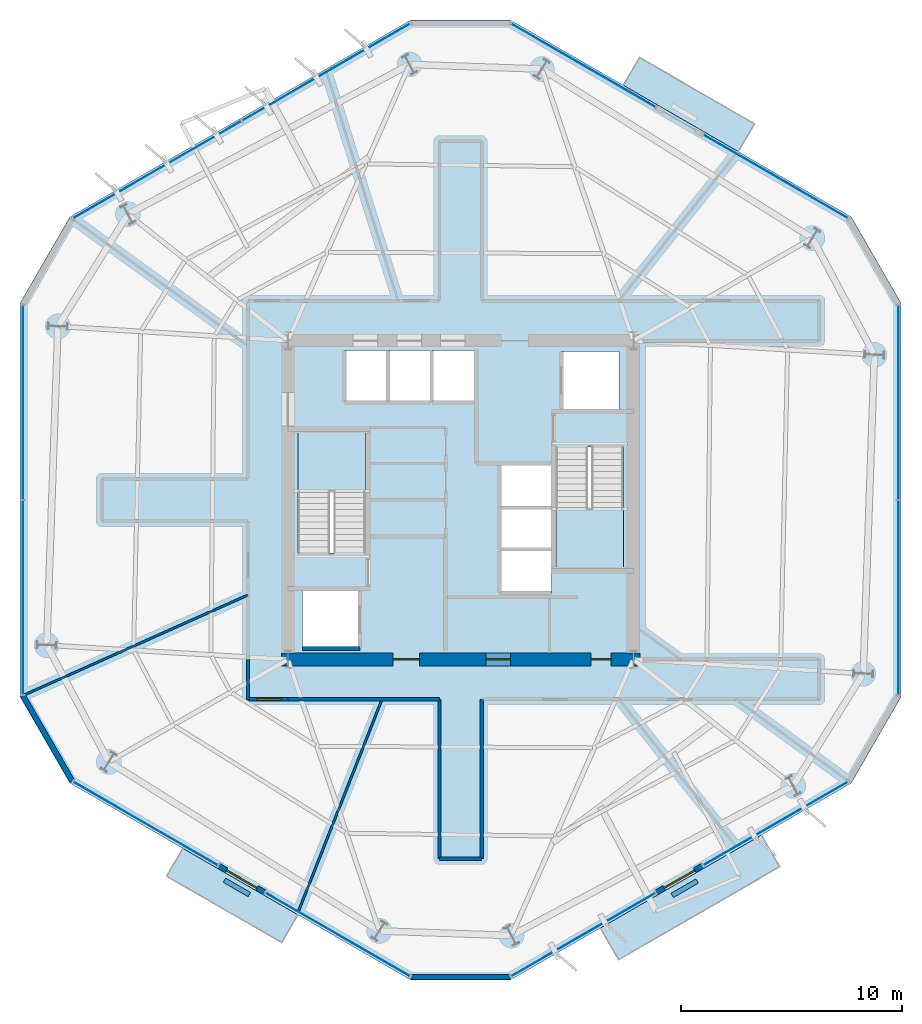
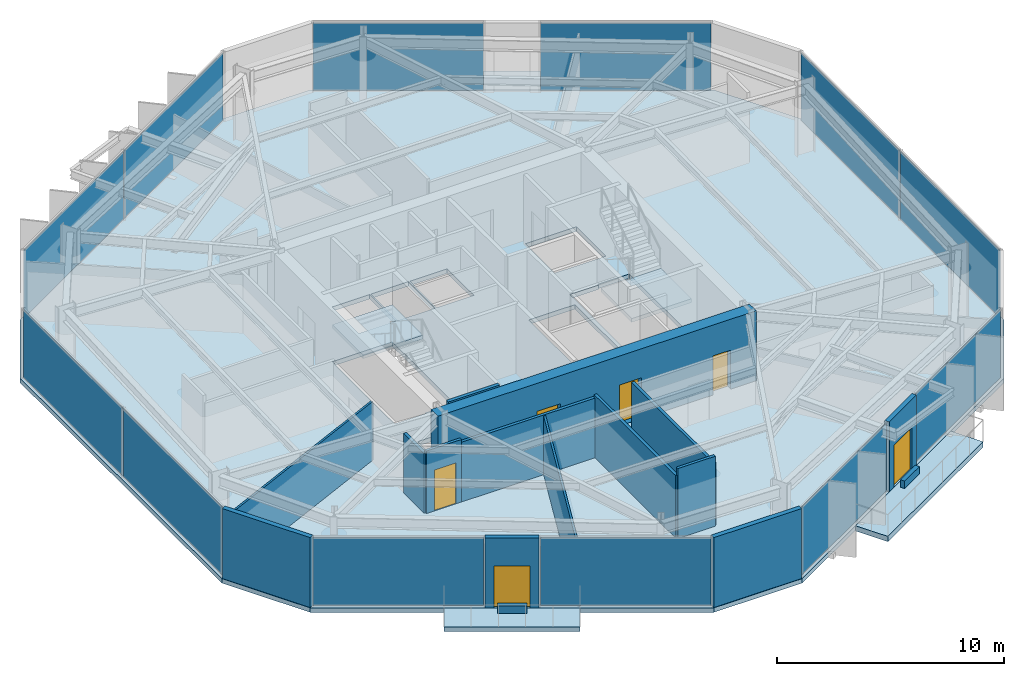
# One storey, part 6 of 11: 16 walls, 12 plates, 6 doors, 6 slabs, 6 openings, 11 elements without a shape of their own.
"""IFC4 building model written with IfcOpenShell, lengths in metres."""

from ifc_helpers import new_model, si_unit, direction, frame, frame_2d, origin, origin_2d, place, context, subcontext, project, spatial, polyline, rectangle, outline, extrude, material, layer, layer_set, type_object, element, fill, aggregate, save


model = new_model("IFC4")

# Units and contexts
model_context = context("Model", 3, precision=1e-05, world=origin(), true_north=direction((0.0, 1.0)))
body_context = subcontext(model_context, "Body", "Model", "MODEL_VIEW")
ifc_project = project(units=[si_unit("LENGTHUNIT", "METRE"), si_unit("AREAUNIT", "SQUARE_METRE"), si_unit("VOLUMEUNIT", "CUBIC_METRE"), si_unit("PLANEANGLEUNIT", "RADIAN"), si_unit("MASSUNIT", "GRAM", prefix="KILO")], contexts=[model_context])

# Site, building, storey
site_placement = place(None, origin())
site = spatial("IfcSite", under=ifc_project, at=site_placement, CompositionType="ELEMENT")
building_placement = place(site_placement, origin())
building = spatial("IfcBuilding", under=site, at=building_placement, Name="Kranzbogen Civic Tower", CompositionType="ELEMENT")
storey_placement = place(building_placement, frame((0.0, 0.0, 142.39990234375)))
storey = spatial("IfcBuildingStorey", under=building, at=storey_placement, Name="L34", CompositionType="ELEMENT", Elevation=142.39990234375)

# Slab
ifc_material_1 = material(Name="Concrete C40/50", Category="concrete")
ifc_layer_1 = layer(ifc_material_1, 0.239990234375, Name="Concrete C40/50")
ifc_layer_set_1 = layer_set([ifc_layer_1], Name="Concrete C40/50")
slab_type_1 = type_object("IfcSlabType", Name="Composite Lower Tower Floor Slab 240 mm", PredefinedType="FLOOR", material=ifc_layer_set_1)
slab_1_placement = place(storey_placement, frame((0.0, 0.0, -0.239990234375)))
element("IfcSlab", 1, at=slab_1_placement, inside=storey, type_object=slab_type_1, Name="L34 tower floor slab", PredefinedType="FLOOR", context=body_context, shape_type="SweptSolid", body=[
    extrude(outline(polyline([(42.64990234375, 37.7880859375), (27.25, 46.679931640625), (22.75, 46.679931640625), (7.35009765625, 37.7880859375), (5.10009765625, 33.89111328125), (5.10009765625, 16.10888671875), (7.35009765625, 12.2119140625), (22.75, 3.320068359375), (27.25, 3.320068359375), (42.64990234375, 12.2119140625), (44.89990234375, 16.10888671875), (44.89990234375, 33.89111328125), (42.64990234375, 37.7880859375)]), holes=[polyline([(20.449951171875, 20.89990234375), (20.449951171875, 18.300048828125), (17.85009765625, 18.300048828125), (17.85009765625, 20.89990234375), (20.449951171875, 20.89990234375)]), polyline([(29.10009765625, 22.699951171875), (29.10009765625, 20.800048828125), (26.75, 20.800048828125), (26.75, 22.699951171875), (29.10009765625, 22.699951171875)]), polyline([(29.10009765625, 24.64990234375), (29.10009765625, 22.77490234375), (26.75, 22.77490234375), (26.75, 24.64990234375), (26.75, 24.675048828125), (26.75, 26.550048828125), (29.10009765625, 26.550048828125), (29.10009765625, 24.675048828125), (29.10009765625, 24.64990234375)]), polyline([(30.75, 27.340087890625), (30.75, 27.39990234375), (32.35009765625, 27.39990234375), (32.35009765625, 21.89990234375), (29.300048828125, 21.89990234375), (29.300048828125, 27.340087890625), (30.75, 27.340087890625)]), polyline([(19.25, 22.659912109375), (19.25, 22.60009765625), (17.64990234375, 22.60009765625), (17.64990234375, 28.10009765625), (20.699951171875, 28.10009765625), (20.699951171875, 22.659912109375), (19.25, 22.659912109375)]), polyline([(32.14990234375, 31.699951171875), (32.14990234375, 29.10009765625), (29.550048828125, 29.10009765625), (29.550048828125, 31.699951171875), (32.14990234375, 31.699951171875)]), polyline([(21.64990234375, 31.75), (21.64990234375, 29.39990234375), (19.75, 29.39990234375), (19.75, 31.75), (21.64990234375, 31.75)]), polyline([(23.625, 29.39990234375), (21.72509765625, 29.39990234375), (21.72509765625, 31.75), (23.625, 31.75), (23.625, 29.39990234375)]), polyline([(25.60009765625, 29.39990234375), (23.699951171875, 29.39990234375), (23.699951171875, 31.75), (25.60009765625, 31.75), (25.60009765625, 29.39990234375)])]), origin(), (0.0, 0.0, 1.0), 0.239990234375),
])

# Curtain wall, plate
ifc_material_2 = material(Name="Pale Anodised Aluminium", Category="aluminium")
ifc_layer_2 = layer(ifc_material_2, 0.219970703125, Name="Pale Anodised Aluminium")
ifc_layer_set_2 = layer_set([ifc_layer_2], Name="Pale Anodised Aluminium")
curtain_wall_type = type_object("IfcCurtainWallType", Name="Zone 2 Stick Curtain Wall System CW-03", PredefinedType="USERDEFINED", material=ifc_layer_set_2)
curtain_wall_1_placement = place(storey_placement, origin())
curtain_wall_1 = element("IfcCurtainWall", 2, at=curtain_wall_1_placement, inside=storey, type_object=curtain_wall_type, Name="L34 curtain wall CW-L34-F1-S1", ObjectType="STICK CURTAIN WALL", PredefinedType="USERDEFINED")
ifc_material_3 = material(Name="Low-E Triple Glazing Glass", Category="glass")
ifc_layer_3 = layer(ifc_material_3, 0.031982421875, Name="Low-E Triple Glazing Glass")
ifc_layer_set_3 = layer_set([ifc_layer_3], Name="Low-E Triple Glazing Glass")
plate_type = type_object("IfcPlateType", Name="Insulated Low-E Glazing Panel 32 mm", PredefinedType="CURTAIN_PANEL", material=ifc_layer_set_3)
plate_1_placement = place(storey_placement, frame((39.23095703125, 39.614990234375, 0.06005859375), z_axis=(0.0, 0.0, 1.0), x_axis=(-0.865993641626, 0.500055009637, 0.0)))
plate_1 = element("IfcPlate", 3, at=plate_1_placement, type_object=plate_type, Name="CW-03 panel 1.1", PredefinedType="CURTAIN_PANEL", context=body_context, shape_type="SweptSolid", body=[
    extrude(rectangle(XDim=7.51513671875, YDim=0.028076171875, at=origin_2d()), origin(), (0.0, 0.0, 1.0), 3.639892578125),
])
aggregate(curtain_wall_1, [plate_1])

curtain_wall_2_placement = place(storey_placement, origin())
curtain_wall_2 = element("IfcCurtainWall", 4, at=curtain_wall_2_placement, inside=storey, type_object=curtain_wall_type, Name="L34 curtain wall CW-L34-F1-S2", ObjectType="STICK CURTAIN WALL", PredefinedType="USERDEFINED")
plate_2_placement = place(storey_placement, frame((30.54150390625, 44.632568359375, 0.06005859375), z_axis=(0.0, 0.0, 1.0), x_axis=(-0.866017611604, 0.500013496209, 0.0)))
plate_2 = element("IfcPlate", 5, at=plate_2_placement, type_object=plate_type, Name="CW-03 panel 1.1", PredefinedType="CURTAIN_PANEL", context=body_context, shape_type="SweptSolid", body=[
    extrude(rectangle(XDim=7.513671875, YDim=0.028076171875, at=origin_2d()), origin(), (0.0, 0.0, 1.0), 3.639892578125),
])
aggregate(curtain_wall_2, [plate_2])

# Curtain wall, plates
curtain_wall_3_placement = place(storey_placement, origin())
curtain_wall_3 = element("IfcCurtainWall", 6, at=curtain_wall_3_placement, inside=storey, type_object=curtain_wall_type, Name="L34 curtain wall CW-L34-F2", ObjectType="STICK CURTAIN WALL", PredefinedType="USERDEFINED")
plate_3_placement = place(storey_placement, frame((18.92578125, 44.32470703125, 0.06005859375), z_axis=(0.0, 0.0, 1.0), x_axis=(-0.866001789046, -0.500040899696, 0.0)))
plate_3 = element("IfcPlate", 7, at=plate_3_placement, type_object=plate_type, Name="CW-03 panel 1.1", PredefinedType="CURTAIN_PANEL", context=body_context, shape_type="SweptSolid", body=[
    extrude(rectangle(XDim=8.744384765625, YDim=0.028076171875, at=origin_2d()), origin(), (0.0, 0.0, 1.0), 3.639892578125),
])
plate_4_placement = place(storey_placement, frame((11.30126953125, 39.92236328125, 0.06005859375), z_axis=(0.0, 0.0, 1.0), x_axis=(-0.866001789046, -0.500040899696, 0.0)))
plate_4 = element("IfcPlate", 8, at=plate_4_placement, type_object=plate_type, Name="CW-03 panel 2.1", PredefinedType="CURTAIN_PANEL", context=body_context, shape_type="SweptSolid", body=[
    extrude(rectangle(XDim=8.744384765625, YDim=0.028076171875, at=origin_2d()), origin(), (0.0, 0.0, 1.0), 3.639892578125),
])
aggregate(curtain_wall_3, [plate_3, plate_4])

curtain_wall_4_placement = place(storey_placement, origin())
curtain_wall_4 = element("IfcCurtainWall", 9, at=curtain_wall_4_placement, inside=storey, type_object=curtain_wall_type, Name="L34 curtain wall CW-L34-F3", ObjectType="STICK CURTAIN WALL", PredefinedType="USERDEFINED")
plate_5_placement = place(storey_placement, frame((5.22802734375, 29.402099609375, 0.06005859375), z_axis=(0.0, 0.0, 1.0), x_axis=(0.0, -1.0, 0.0)))
plate_5 = element("IfcPlate", 10, at=plate_5_placement, type_object=plate_type, Name="CW-03 panel 1.1", PredefinedType="CURTAIN_PANEL", context=body_context, shape_type="SweptSolid", body=[
    extrude(rectangle(XDim=8.743896484375, YDim=0.028076171875, at=origin_2d()), origin(), (0.0, 0.0, 1.0), 3.639892578125),
])
plate_6_placement = place(storey_placement, frame((5.22802734375, 20.597900390625, 0.06005859375), z_axis=(0.0, 0.0, 1.0), x_axis=(0.0, -1.0, 0.0)))
plate_6 = element("IfcPlate", 11, at=plate_6_placement, type_object=plate_type, Name="CW-03 panel 2.1", PredefinedType="CURTAIN_PANEL", context=body_context, shape_type="SweptSolid", body=[
    extrude(rectangle(XDim=8.743896484375, YDim=0.028076171875, at=origin_2d()), origin(), (0.0, 0.0, 1.0), 3.639892578125),
])
aggregate(curtain_wall_4, [plate_5, plate_6])

# Curtain wall, plate
curtain_wall_5_placement = place(storey_placement, origin())
curtain_wall_5 = element("IfcCurtainWall", 12, at=curtain_wall_5_placement, inside=storey, type_object=curtain_wall_type, Name="L34 curtain wall CW-L34-F4-S1", ObjectType="STICK CURTAIN WALL", PredefinedType="USERDEFINED")
plate_7_placement = place(storey_placement, frame((10.76904296875, 10.385009765625, 0.06005859375), z_axis=(0.0, 0.0, 1.0), x_axis=(0.865993641626, -0.500055009637, 0.0)))
plate_7 = element("IfcPlate", 13, at=plate_7_placement, type_object=plate_type, Name="CW-03 panel 1.1", PredefinedType="CURTAIN_PANEL", context=body_context, shape_type="SweptSolid", body=[
    extrude(rectangle(XDim=7.51513671875, YDim=0.028076171875, at=origin_2d()), origin(), (0.0, 0.0, 1.0), 3.639892578125),
])
aggregate(curtain_wall_5, [plate_7])

curtain_wall_6_placement = place(storey_placement, origin())
curtain_wall_6 = element("IfcCurtainWall", 14, at=curtain_wall_6_placement, inside=storey, type_object=curtain_wall_type, Name="L34 curtain wall CW-L34-F4-S2", ObjectType="STICK CURTAIN WALL", PredefinedType="USERDEFINED")
plate_8_placement = place(storey_placement, frame((19.45849609375, 5.367431640625, 0.06005859375), z_axis=(0.0, 0.0, 1.0), x_axis=(0.866017611604, -0.500013496209, 0.0)))
plate_8 = element("IfcPlate", 15, at=plate_8_placement, type_object=plate_type, Name="CW-03 panel 1.1", PredefinedType="CURTAIN_PANEL", context=body_context, shape_type="SweptSolid", body=[
    extrude(rectangle(XDim=7.513671875, YDim=0.028076171875, at=origin_2d()), origin(), (0.0, 0.0, 1.0), 3.639892578125),
])
aggregate(curtain_wall_6, [plate_8])

curtain_wall_7_placement = place(storey_placement, origin())
curtain_wall_7 = element("IfcCurtainWall", 16, at=curtain_wall_7_placement, inside=storey, type_object=curtain_wall_type, Name="L34 curtain wall CW-L34-F5-S1", ObjectType="STICK CURTAIN WALL", PredefinedType="USERDEFINED")
plate_9_placement = place(storey_placement, frame((30.54150390625, 5.367431640625, 0.06005859375), z_axis=(0.0, 0.0, 1.0), x_axis=(0.866017611604, 0.500013496209, 0.0)))
plate_9 = element("IfcPlate", 17, at=plate_9_placement, type_object=plate_type, Name="CW-03 panel 1.1", PredefinedType="CURTAIN_PANEL", context=body_context, shape_type="SweptSolid", body=[
    extrude(rectangle(XDim=7.513671875, YDim=0.028076171875, at=origin_2d()), origin(), (0.0, 0.0, 1.0), 3.639892578125),
])
aggregate(curtain_wall_7, [plate_9])

curtain_wall_8_placement = place(storey_placement, origin())
curtain_wall_8 = element("IfcCurtainWall", 18, at=curtain_wall_8_placement, inside=storey, type_object=curtain_wall_type, Name="L34 curtain wall CW-L34-F5-S2", ObjectType="STICK CURTAIN WALL", PredefinedType="USERDEFINED")
plate_10_placement = place(storey_placement, frame((39.23095703125, 10.385009765625, 0.06005859375), z_axis=(0.0, 0.0, 1.0), x_axis=(0.865993641626, 0.500055009637, 0.0)))
plate_10 = element("IfcPlate", 19, at=plate_10_placement, type_object=plate_type, Name="CW-03 panel 1.1", PredefinedType="CURTAIN_PANEL", context=body_context, shape_type="SweptSolid", body=[
    extrude(rectangle(XDim=7.51513671875, YDim=0.028076171875, at=origin_2d()), origin(), (0.0, 0.0, 1.0), 3.639892578125),
])
aggregate(curtain_wall_8, [plate_10])

# Curtain wall, plates
curtain_wall_9_placement = place(storey_placement, origin())
curtain_wall_9 = element("IfcCurtainWall", 20, at=curtain_wall_9_placement, inside=storey, type_object=curtain_wall_type, Name="L34 curtain wall CW-L34-F6", ObjectType="STICK CURTAIN WALL", PredefinedType="USERDEFINED")
plate_11_placement = place(storey_placement, frame((44.77197265625, 20.597900390625, 0.06005859375), z_axis=(0.0, 0.0, 1.0), x_axis=(0.0, 1.0, 0.0)))
plate_11 = element("IfcPlate", 21, at=plate_11_placement, type_object=plate_type, Name="CW-03 panel 1.1", PredefinedType="CURTAIN_PANEL", context=body_context, shape_type="SweptSolid", body=[
    extrude(rectangle(XDim=8.743896484375, YDim=0.028076171875, at=origin_2d()), origin(), (0.0, 0.0, 1.0), 3.639892578125),
])
plate_12_placement = place(storey_placement, frame((44.77197265625, 29.402099609375, 0.06005859375), z_axis=(0.0, 0.0, 1.0), x_axis=(0.0, 1.0, 0.0)))
plate_12 = element("IfcPlate", 22, at=plate_12_placement, type_object=plate_type, Name="CW-03 panel 2.1", PredefinedType="CURTAIN_PANEL", context=body_context, shape_type="SweptSolid", body=[
    extrude(rectangle(XDim=8.743896484375, YDim=0.028076171875, at=origin_2d()), origin(), (0.0, 0.0, 1.0), 3.639892578125),
])
aggregate(curtain_wall_9, [plate_11, plate_12])

# Stair, slab
ifc_material_4 = material(Name="Precast concrete C40/50", Category="concrete")
stair_type_1 = type_object("IfcStairType", Name="Tower Core Pressurized Dogleg Stair 1450", PredefinedType="HALF_TURN_STAIR", material=ifc_material_4)
stair_1_placement = place(storey_placement, origin())
stair_1 = element("IfcStair", 23, at=stair_1_placement, inside=storey, type_object=stair_type_1, Name="L34 Tower Core Pressurized Stair 1", PredefinedType="HALF_TURN_STAIR")
ifc_layer_4 = layer(ifc_material_4, 0.199951171875, Name="Precast concrete C40/50")
ifc_layer_set_4 = layer_set([ifc_layer_4], Name="Precast concrete C40/50")
slab_type_2 = type_object("IfcSlabType", Name="Precast Concrete Stair Landing Slab 200 mm", PredefinedType="LANDING", material=ifc_layer_set_4)
slab_2_placement = place(storey_placement, frame((0.0, 0.0, 1.800048828125)))
slab_2 = element("IfcSlab", 24, at=slab_2_placement, type_object=slab_type_2, Name="ST-T1 landing 1", PredefinedType="LANDING", context=body_context, shape_type="SweptSolid", body=[
    extrude(outline(polyline([(20.699951171875, 25.39990234375), (20.699951171875, 28.10009765625), (17.64990234375, 28.10009765625), (17.64990234375, 25.39990234375), (20.699951171875, 25.39990234375)])), origin(), (0.0, 0.0, 1.0), 0.199951171875),
])
aggregate(stair_1, [slab_2])

stair_type_2 = type_object("IfcStairType", Name="Tower Core Secondary Dogleg Stair 1450", PredefinedType="HALF_TURN_STAIR", material=ifc_material_4)
stair_2_placement = place(storey_placement, origin())
stair_2 = element("IfcStair", 25, at=stair_2_placement, inside=storey, type_object=stair_type_2, Name="L34 Tower Core Pressurized Stair 2", PredefinedType="HALF_TURN_STAIR")
slab_3_placement = place(storey_placement, frame((0.0, 0.0, 1.800048828125)))
slab_3 = element("IfcSlab", 26, at=slab_3_placement, type_object=slab_type_2, Name="ST-T2 landing 1", PredefinedType="LANDING", context=body_context, shape_type="SweptSolid", body=[
    extrude(outline(polyline([(29.300048828125, 24.60009765625), (29.300048828125, 21.89990234375), (32.35009765625, 21.89990234375), (32.35009765625, 24.60009765625), (29.300048828125, 24.60009765625)])), origin(), (0.0, 0.0, 1.0), 0.199951171875),
])
aggregate(stair_2, [slab_3])

# Slabs
ifc_layer_5 = layer(ifc_material_1, 0.280029296875, Name="Concrete C40/50")
ifc_layer_set_5 = layer_set([ifc_layer_5], Name="Concrete C40/50")
slab_type_3 = type_object("IfcSlabType", Name="Spiral Terrace Cantilevered Slab 280 mm", PredefinedType="FLOOR", material=ifc_layer_set_5)
slab_4_placement = place(storey_placement, frame((0.0, 0.0, -0.27978515625)))
element("IfcSlab", 27, at=slab_4_placement, inside=storey, type_object=slab_type_3, Name="L34 cantilevered spiral terrace L34-ST", PredefinedType="FLOOR", context=body_context, shape_type="SweptSolid", body=[
    extrude(outline(polyline([(31.31298828125, 5.666015625), (38.5869140625, 9.865966796875), (39.412109375, 8.43701171875), (32.137939453125, 4.237060546875), (31.31298828125, 5.666015625)])), origin(), (0.0, 0.0, 1.0), 0.27978515625),
])
ifc_layer_6 = layer(ifc_material_1, 0.25, Name="Concrete C40/50")
ifc_layer_set_6 = layer_set([ifc_layer_6], Name="Concrete C40/50")
slab_type_4 = type_object("IfcSlabType", Name="Tree Balcony Cantilevered Slab 250 mm", PredefinedType="FLOOR", material=ifc_layer_set_6)
slab_5_placement = place(storey_placement, frame((0.0, 0.0, -0.25)))
element("IfcSlab", 28, at=slab_5_placement, inside=storey, type_object=slab_type_4, Name="L34 cantilevered tree balcony L34-TB1", PredefinedType="FLOOR", context=body_context, shape_type="SweptSolid", body=[
    extrude(outline(polyline([(12.451904296875, 9.26611328125), (17.64794921875, 6.26611328125), (16.923095703125, 5.010009765625), (11.72705078125, 8.010009765625), (12.451904296875, 9.26611328125)])), origin(), (0.0, 0.0, 1.0), 0.25),
])
slab_6_placement = place(storey_placement, frame((0.0, 0.0, -0.25)))
element("IfcSlab", 29, at=slab_6_placement, inside=storey, type_object=slab_type_4, Name="L34 cantilevered tree balcony L34-TB2", PredefinedType="FLOOR", context=body_context, shape_type="SweptSolid", body=[
    extrude(outline(polyline([(37.548095703125, 40.73388671875), (32.35205078125, 43.73388671875), (33.076904296875, 44.989990234375), (38.27294921875, 41.989990234375), (37.548095703125, 40.73388671875)])), origin(), (0.0, 0.0, 1.0), 0.25),
])

# Wall, opening, door
ifc_material_5 = material(Name="Double-Stud Acoustic Gypsum Partition")
ifc_layer_7 = layer(ifc_material_5, 0.14990234375, Name="Double-Stud Acoustic Gypsum Partition")
ifc_layer_set_7 = layer_set([ifc_layer_7], Name="Double-Stud Acoustic Gypsum Partition")
wall_type_1 = type_object("IfcWallType", Name="Acoustic Corridor and Clinical Partition 150 mm", PredefinedType="PARTITIONING", material=ifc_layer_set_7)
wall_1_placement = place(storey_placement, frame((17.199951171875, 16.0, 0.0), z_axis=(0.0, 0.0, 1.0), x_axis=(-1.0, 0.0, 0.0)))
wall_1 = element("IfcWall", 30, at=wall_1_placement, inside=storey, type_object=wall_type_1, Name="L34 corridor partition 01", PredefinedType="PARTITIONING", context=body_context, shape_type="SweptSolid", body=[
    extrude(rectangle(XDim=1.800048828125, YDim=0.14990234375, at=frame_2d((0.89990234375, 0.0))), origin(), (0.0, 0.0, 1.0), 3.360107421875),
])
opening_1_placement = place(wall_1_placement, frame((0.287109375, 0.0, 0.0)))
opening_1 = element("IfcOpeningElement", 31, at=opening_1_placement, cuts=wall_1, Name="Opening D-COR60", PredefinedType="OPENING", context=body_context, shape_type="SweptSolid", body=[
    extrude(rectangle(XDim=1.10009765625, YDim=2.199951171875, at=frame_2d((0.550048828125, 1.10009765625))), frame((0.0, 0.0849609375, 0.0), z_axis=(0.0, -1.0, 0.0), x_axis=(1.0, 0.0, 0.0)), (0.0, 0.0, 1.0), 0.169921875),
])
ifc_material_6 = material(Name="Oak Timber and Fire Core", Category="wood")
door_type_1 = type_object("IfcDoorType", Name="Corridor Acoustic Fire Door 1100x2200", OperationType="NOTDEFINED", PredefinedType="DOOR", material=ifc_material_6)
door_1_placement = place(opening_1_placement, origin())
door_1 = element("IfcDoor", 32, at=door_1_placement, inside=storey, type_object=door_type_1, Name="L34 Executive Briefing Conference Room door", OperationType="SINGLE_SWING_RIGHT", OverallHeight=2.199951171875, OverallWidth=1.10009765625, PredefinedType="DOOR", context=body_context, shape_type="SweptSolid", body=[
    extrude(rectangle(XDim=1.10009765625, YDim=2.199951171875, at=frame_2d((0.550048828125, 1.10009765625))), frame((0.0, 0.02490234375, 0.0), z_axis=(0.0, -1.0, 0.0), x_axis=(1.0, 0.0, 0.0)), (0.0, 0.0, 1.0), 0.050048828125),
])
fill(opening_1, door_1)

# Walls
wall_2_placement = place(storey_placement, frame((15.39990234375, 16.0, 0.0), z_axis=(0.0, 0.0, 1.0), x_axis=(0.0, 1.0, 0.0)))
element("IfcWall", 33, at=wall_2_placement, inside=storey, type_object=wall_type_1, Name="L34 corridor partition 02", PredefinedType="PARTITIONING", context=body_context, shape_type="SweptSolid", body=[
    extrude(rectangle(XDim=1.800048828125, YDim=0.14990234375, at=frame_2d((0.89990234375, 0.0))), origin(), (0.0, 0.0, 1.0), 3.210205078125),
])
wall_3_placement = place(storey_placement, frame((25.949951171875, 16.0, 0.0), z_axis=(0.0, 0.0, 1.0), x_axis=(0.0, -1.0, 0.0)))
element("IfcWall", 34, at=wall_3_placement, inside=storey, type_object=wall_type_1, Name="L34 corridor partition 20", PredefinedType="PARTITIONING", context=body_context, shape_type="SweptSolid", body=[
    extrude(rectangle(XDim=7.199951171875, YDim=0.14990234375, at=frame_2d((3.60009765625, 0.0))), origin(), (0.0, 0.0, 1.0), 3.360107421875),
])
wall_4_placement = place(storey_placement, frame((25.949951171875, 8.800048828125, 0.0), z_axis=(0.0, 0.0, 1.0), x_axis=(-1.0, 0.0, 0.0)))
element("IfcWall", 35, at=wall_4_placement, inside=storey, type_object=wall_type_1, Name="L34 corridor partition 21", PredefinedType="PARTITIONING", context=body_context, shape_type="SweptSolid", body=[
    extrude(rectangle(XDim=1.89990234375, YDim=0.14990234375, at=frame_2d((0.949951171875, 0.0))), origin(), (0.0, 0.0, 1.0), 3.760009765625),
])
wall_5_placement = place(storey_placement, frame((24.050048828125, 8.800048828125, 0.0), z_axis=(0.0, 0.0, 1.0), x_axis=(0.0, 1.0, 0.0)))
element("IfcWall", 36, at=wall_5_placement, inside=storey, type_object=wall_type_1, Name="L34 corridor partition 22", PredefinedType="PARTITIONING", context=body_context, shape_type="SweptSolid", body=[
    extrude(rectangle(XDim=7.199951171875, YDim=0.14990234375, at=frame_2d((3.60009765625, 0.0))), origin(), (0.0, 0.0, 1.0), 3.360107421875),
])
wall_6_placement = place(storey_placement, frame((24.050048828125, 16.0, 0.0), z_axis=(0.0, 0.0, 1.0), x_axis=(-1.0, 0.0, 0.0)))
element("IfcWall", 37, at=wall_6_placement, inside=storey, type_object=wall_type_1, Name="L34 corridor partition 23", PredefinedType="PARTITIONING", context=body_context, shape_type="SweptSolid", body=[
    extrude(rectangle(XDim=6.85009765625, YDim=0.14990234375, at=frame_2d((3.425048828125, 0.0))), origin(), (0.0, 0.0, 1.0), 3.210205078125),
])
ifc_material_7 = material(Name="Architectural Precast Terracotta Concrete C40/50", Category="masonry")
ifc_layer_8 = layer(ifc_material_7, 0.219970703125, Name="Architectural Precast Terracotta Concrete C40/50")
ifc_layer_set_8 = layer_set([ifc_layer_8], Name="Architectural Precast Terracotta Concrete C40/50")
wall_type_2 = type_object("IfcWallType", Name="Architectural Tree Planter Kerb Wall 220 mm", PredefinedType="USERDEFINED", material=ifc_layer_set_8)
for number, where, z_axis, x_axis, name in (
    (38, (14.3349609375, 7.826904296875, 0.0), (0.0, 0.0, 1.0), (0.866085525409, -0.49989585183, 0.0), "L34 landscaped tree balcony planter L34-TB1"),
    (39, (34.56005859375, 7.14111328125, 0.0), (0.0, 0.0, 1.0), (0.866085525409, 0.49989585183, 0.0), "L34 landscaped tree balcony planter L34-ST"),
):
    element("IfcWall", number, at=place(storey_placement, frame(where, z_axis=z_axis, x_axis=x_axis)), inside=storey, type_object=wall_type_2, Name=name, ObjectType="PLANTER_WALL", PredefinedType="USERDEFINED", context=body_context, shape_type="SweptSolid", body=[
        extrude(rectangle(XDim=1.300048828125, YDim=0.219970703125, at=frame_2d((0.64990234375, 0.0))), origin(), (0.0, 0.0, 1.0), 0.400146484375),
    ])

# Wall, openings, doors
ifc_material_8 = material(Name="Concrete C55/67", Category="concrete")
ifc_layer_9 = layer(ifc_material_8, 0.60009765625, Name="Concrete C55/67")
ifc_layer_set_9 = layer_set([ifc_layer_9], Name="Concrete C55/67")
wall_type_3 = type_object("IfcWallType", Name="Central Core Shear Wall 600 mm", PredefinedType="SHEAR", material=ifc_layer_set_9)
wall_7_placement = place(storey_placement, frame((16.89990234375, 17.800048828125, 0.0), z_axis=(0.0, 0.0, 1.0), x_axis=(1.0, 0.0, 0.0)))
wall_7 = element("IfcWall", 40, at=wall_7_placement, inside=storey, type_object=wall_type_3, Name="L34 central core South shear wall", PredefinedType="SHEAR", context=body_context, shape_type="SweptSolid", body=[
    extrude(rectangle(XDim=16.2001953125, YDim=0.60009765625, at=frame_2d((8.10009765625, 0.0))), origin(), (0.0, 0.0, 1.0), 3.760009765625),
])
opening_2_placement = place(wall_7_placement, frame((5.050048828125, 0.0, 0.0)))
opening_2 = element("IfcOpeningElement", 41, at=opening_2_placement, cuts=wall_7, Name="Opening D-EX120", PredefinedType="OPENING", context=body_context, shape_type="SweptSolid", body=[
    extrude(rectangle(XDim=1.199951171875, YDim=2.25, at=frame_2d((0.60009765625, 1.125))), frame((0.0, 0.31005859375, 0.0), z_axis=(0.0, -1.0, 0.0), x_axis=(1.0, 0.0, 0.0)), (0.0, 0.0, 1.0), 0.6201171875),
])
opening_3_placement = place(wall_7_placement, frame((14.0, 0.0, 0.0)))
opening_3 = element("IfcOpeningElement", 42, at=opening_3_placement, cuts=wall_7, Name="Opening D-WC90", PredefinedType="OPENING", context=body_context, shape_type="SweptSolid", body=[
    extrude(rectangle(XDim=0.89990234375, YDim=2.10009765625, at=frame_2d((0.449951171875, 1.050048828125))), frame((0.0, 0.31005859375, 0.0), z_axis=(0.0, -1.0, 0.0), x_axis=(1.0, 0.0, 0.0)), (0.0, 0.0, 1.0), 0.6201171875),
])
opening_4_placement = place(wall_7_placement, frame((9.25, 0.0, 0.0)))
opening_4 = element("IfcOpeningElement", 43, at=opening_4_placement, cuts=wall_7, Name="Opening D-COR60", PredefinedType="OPENING", context=body_context, shape_type="SweptSolid", body=[
    extrude(rectangle(XDim=1.10009765625, YDim=2.199951171875, at=frame_2d((0.550048828125, 1.10009765625))), frame((0.0, 0.31005859375, 0.0), z_axis=(0.0, -1.0, 0.0), x_axis=(1.0, 0.0, 0.0)), (0.0, 0.0, 1.0), 0.6201171875),
])
door_2_placement = place(opening_4_placement, origin())
door_2 = element("IfcDoor", 44, at=door_2_placement, inside=storey, type_object=door_type_1, Name="L34 REC1 archive room door", OperationType="SINGLE_SWING_LEFT", OverallHeight=2.199951171875, OverallWidth=1.10009765625, PredefinedType="DOOR", context=body_context, shape_type="SweptSolid", body=[
    extrude(rectangle(XDim=1.10009765625, YDim=2.199951171875, at=frame_2d((0.550048828125, 1.10009765625))), frame((0.0, 0.02490234375, 0.0), z_axis=(0.0, -1.0, 0.0), x_axis=(1.0, 0.0, 0.0)), (0.0, 0.0, 1.0), 0.050048828125),
])
fill(opening_4, door_2)
ifc_material_9 = material(Name="Steel S355", Category="steel")
door_type_2 = type_object("IfcDoorType", Name="Exit Passageway Fire Door 1200x2250", OperationType="NOTDEFINED", PredefinedType="DOOR", material=ifc_material_9)
door_3_placement = place(opening_2_placement, origin())
door_3 = element("IfcDoor", 45, at=door_3_placement, inside=storey, type_object=door_type_2, Name="L34 West firefighting lobby corridor door", OperationType="SINGLE_SWING_LEFT", OverallHeight=2.25, OverallWidth=1.199951171875, PredefinedType="DOOR", context=body_context, shape_type="SweptSolid", body=[
    extrude(rectangle(XDim=1.199951171875, YDim=2.25, at=frame_2d((0.60009765625, 1.125))), frame((0.0, 0.02490234375, 0.0), z_axis=(0.0, -1.0, 0.0), x_axis=(1.0, 0.0, 0.0)), (0.0, 0.0, 1.0), 0.050048828125),
])
fill(opening_2, door_3)
ifc_material_10 = material(Name="Moisture-Resistant Laminate")
door_type_3 = type_object("IfcDoorType", Name="Standard Restroom and Store Door 900x2100", OperationType="NOTDEFINED", PredefinedType="DOOR", material=ifc_material_10)
door_4_placement = place(opening_3_placement, origin())
door_4 = element("IfcDoor", 46, at=door_4_placement, inside=storey, type_object=door_type_3, Name="L34 East electrical riser access door", OperationType="SINGLE_SWING_RIGHT", OverallHeight=2.10009765625, OverallWidth=0.89990234375, PredefinedType="DOOR", context=body_context, shape_type="SweptSolid", body=[
    extrude(rectangle(XDim=0.89990234375, YDim=2.10009765625, at=frame_2d((0.449951171875, 1.050048828125))), frame((0.0, 0.02490234375, 0.0), z_axis=(0.0, -1.0, 0.0), x_axis=(1.0, 0.0, 0.0)), (0.0, 0.0, 1.0), 0.050048828125),
])
fill(opening_3, door_4)

# Walls
ifc_material_11 = material(Name="Demountable Aluminium and Gypsum Partition", Category="aluminium")
ifc_layer_10 = layer(ifc_material_11, 0.10009765625, Name="Demountable Aluminium and Gypsum Partition")
ifc_layer_set_10 = layer_set([ifc_layer_10], Name="Demountable Aluminium and Gypsum Partition")
wall_type_4 = type_object("IfcWallType", Name="Demountable Office Partition 100 mm", PredefinedType="MOVABLE", material=ifc_layer_set_10)
wall_8_placement = place(storey_placement, frame((15.39990234375, 20.7109375, 0.0), z_axis=(0.0, 0.0, 1.0), x_axis=(-0.913021408502, -0.407911641924, 0.0)))
element("IfcWall", 47, at=wall_8_placement, inside=storey, type_object=wall_type_4, Name="L34 radial room partition 04", PredefinedType="MOVABLE", context=body_context, shape_type="SweptSolid", body=[
    extrude(rectangle(XDim=11.1220703125, YDim=0.10009765625, at=frame_2d((5.56103515625, 0.0))), origin(), (0.0, 0.0, 1.0), 3.16015625),
])
wall_9_placement = place(storey_placement, frame((21.452880859375, 16.0, 0.0), z_axis=(0.0, 0.0, 1.0), x_axis=(-0.366670004264, -0.930351067056, 0.0)))
element("IfcWall", 48, at=wall_9_placement, inside=storey, type_object=wall_type_4, Name="L34 radial room partition 05", PredefinedType="MOVABLE", context=body_context, shape_type="SweptSolid", body=[
    extrude(rectangle(XDim=10.300537109375, YDim=0.10009765625, at=frame_2d((5.150390625, 0.0))), origin(), (0.0, 0.0, 1.0), 3.16015625),
])
ifc_material_12 = material(Name="Gypsum Fireboard Shaftliner")
ifc_layer_11 = layer(ifc_material_12, 0.175048828125, Name="Gypsum Fireboard Shaftliner")
ifc_layer_set_11 = layer_set([ifc_layer_11], Name="Gypsum Fireboard Shaftliner")
wall_type_5 = type_object("IfcWallType", Name="Fire-Rated Lift and Service Shaft Wall 175 mm", PredefinedType="PARTITIONING", material=ifc_layer_set_11)
wall_10_placement = place(storey_placement, frame((17.85009765625, 18.300048828125, 0.0), z_axis=(0.0, 0.0, 1.0), x_axis=(1.0, 0.0, 0.0)))
element("IfcWall", 49, at=wall_10_placement, inside=storey, type_object=wall_type_5, Name="L34 lift FF-01 side wall", PredefinedType="PARTITIONING", context=body_context, shape_type="SweptSolid", body=[
    extrude(rectangle(XDim=2.599853515625, YDim=0.175048828125, at=frame_2d((1.2998046875, 0.0))), origin(), (0.0, 0.0, 1.0), 3.760009765625),
])
ifc_layer_12 = layer(ifc_material_2, 0.239990234375, Name="Pale Anodised Aluminium")
ifc_layer_set_12 = layer_set([ifc_layer_12], Name="Pale Anodised Aluminium")
wall_type_6 = type_object("IfcWallType", Name="Insulated Aluminium Facade Portal Wall 240 mm", PredefinedType="STANDARD", material=ifc_layer_set_12)
wall_11_placement = place(storey_placement, frame((5.22802734375, 16.166015625, 0.0), z_axis=(0.0, 0.0, 1.0), x_axis=(0.499886330694, -0.866091020843, 0.0)))
element("IfcWall", 50, at=wall_11_placement, inside=storey, type_object=wall_type_6, Name="L34 chamfered corner facade spandrel 3", PredefinedType="STANDARD", context=body_context, shape_type="SweptSolid", body=[
    extrude(rectangle(XDim=4.470703125, YDim=0.239990234375, at=frame_2d((2.2353515625, 0.0))), origin(), (0.0, 0.0, 1.0), 3.760009765625),
])

# Wall, opening, door
wall_12_placement = place(storey_placement, frame((14.074951171875, 8.47607421875, 0.0), z_axis=(0.0, 0.0, 1.0), x_axis=(0.865955154139, -0.50012165622, 0.0)))
wall_12 = element("IfcWall", 51, at=wall_12_placement, inside=storey, type_object=wall_type_6, Name="L34 exterior entrance portal wall 1", PredefinedType="STANDARD", context=body_context, shape_type="SweptSolid", body=[
    extrude(rectangle(XDim=2.39990234375, YDim=0.239990234375, at=frame_2d((1.199951171875, 0.0))), origin(), (0.0, 0.0, 1.0), 3.760009765625),
])
opening_5_placement = place(wall_12_placement, frame((0.39990234375, 0.0, 0.0)))
opening_5 = element("IfcOpeningElement", 52, at=opening_5_placement, cuts=wall_12, Name="Opening D-TER", PredefinedType="OPENING", context=body_context, shape_type="SweptSolid", body=[
    extrude(rectangle(XDim=1.60009765625, YDim=2.25, at=frame_2d((0.800048828125, 1.125))), frame((0.0, 0.1298828125, 0.0), z_axis=(0.0, -1.0, 0.0), x_axis=(1.0, 0.0, 0.0)), (0.0, 0.0, 1.0), 0.260009765625),
])
ifc_material_13 = material(Name="Anodised Bronze and Triple Glass", Category="glass")
door_type_4 = type_object("IfcDoorType", Name="Glazed Terrace and Balcony Double Door 1600x2250", OperationType="DOUBLE_DOOR_SINGLE_SWING", PredefinedType="DOOR", material=ifc_material_13)
door_5_placement = place(opening_5_placement, frame((1.60009765625, 0.0, 0.0), z_axis=(0.0, 0.0, 1.0), x_axis=(-1.0, 0.0, 0.0)))
door_5 = element("IfcDoor", 53, at=door_5_placement, inside=storey, type_object=door_type_4, Name="L34 tree balcony access door L34-TB1", OperationType="DOUBLE_DOOR_SINGLE_SWING", OverallHeight=2.25, OverallWidth=1.60009765625, PredefinedType="DOOR", context=body_context, shape_type="SweptSolid", body=[
    extrude(rectangle(XDim=1.60009765625, YDim=2.25, at=frame_2d((0.800048828125, 1.125))), frame((0.0, 0.02490234375, 0.0), z_axis=(0.0, -1.0, 0.0), x_axis=(1.0, 0.0, 0.0)), (0.0, 0.0, 1.0), 0.050048828125),
])
fill(opening_5, door_5)

# Wall
wall_13_placement = place(storey_placement, frame((22.763916015625, 3.458984375, 0.0), z_axis=(0.0, 0.0, 1.0), x_axis=(1.0, 0.0, 0.0)))
element("IfcWall", 54, at=wall_13_placement, inside=storey, type_object=wall_type_6, Name="L34 chamfered corner facade spandrel 4", PredefinedType="STANDARD", context=body_context, shape_type="SweptSolid", body=[
    extrude(rectangle(XDim=4.47216796875, YDim=0.239990234375, at=frame_2d((2.236083984375, 0.0))), origin(), (0.0, 0.0, 1.0), 3.760009765625),
])

# Wall, opening, door
wall_14_placement = place(storey_placement, frame((33.846923828125, 7.27587890625, 0.0), z_axis=(0.0, 0.0, 1.0), x_axis=(0.865955154139, 0.50012165622, 0.0)))
wall_14 = element("IfcWall", 55, at=wall_14_placement, inside=storey, type_object=wall_type_6, Name="L34 exterior entrance portal wall 1", PredefinedType="STANDARD", context=body_context, shape_type="SweptSolid", body=[
    extrude(rectangle(XDim=2.39990234375, YDim=0.239990234375, at=frame_2d((1.199951171875, 0.0))), origin(), (0.0, 0.0, 1.0), 3.760009765625),
])
opening_6_placement = place(wall_14_placement, frame((0.39990234375, 0.0, 0.0)))
opening_6 = element("IfcOpeningElement", 56, at=opening_6_placement, cuts=wall_14, Name="Opening D-TER", PredefinedType="OPENING", context=body_context, shape_type="SweptSolid", body=[
    extrude(rectangle(XDim=1.60009765625, YDim=2.25, at=frame_2d((0.800048828125, 1.125))), frame((0.0, 0.1298828125, 0.0), z_axis=(0.0, -1.0, 0.0), x_axis=(1.0, 0.0, 0.0)), (0.0, 0.0, 1.0), 0.260009765625),
])
door_6_placement = place(opening_6_placement, frame((1.60009765625, 0.0, 0.0), z_axis=(0.0, 0.0, 1.0), x_axis=(-1.0, 0.0, 0.0)))
door_6 = element("IfcDoor", 57, at=door_6_placement, inside=storey, type_object=door_type_4, Name="L34 spiral terrace access door L34-ST", OperationType="DOUBLE_DOOR_SINGLE_SWING", OverallHeight=2.25, OverallWidth=1.60009765625, PredefinedType="DOOR", context=body_context, shape_type="SweptSolid", body=[
    extrude(rectangle(XDim=1.60009765625, YDim=2.25, at=frame_2d((0.800048828125, 1.125))), frame((0.0, 0.02490234375, 0.0), z_axis=(0.0, -1.0, 0.0), x_axis=(1.0, 0.0, 0.0)), (0.0, 0.0, 1.0), 0.050048828125),
])
fill(opening_6, door_6)

save(model, "model.ifc")
